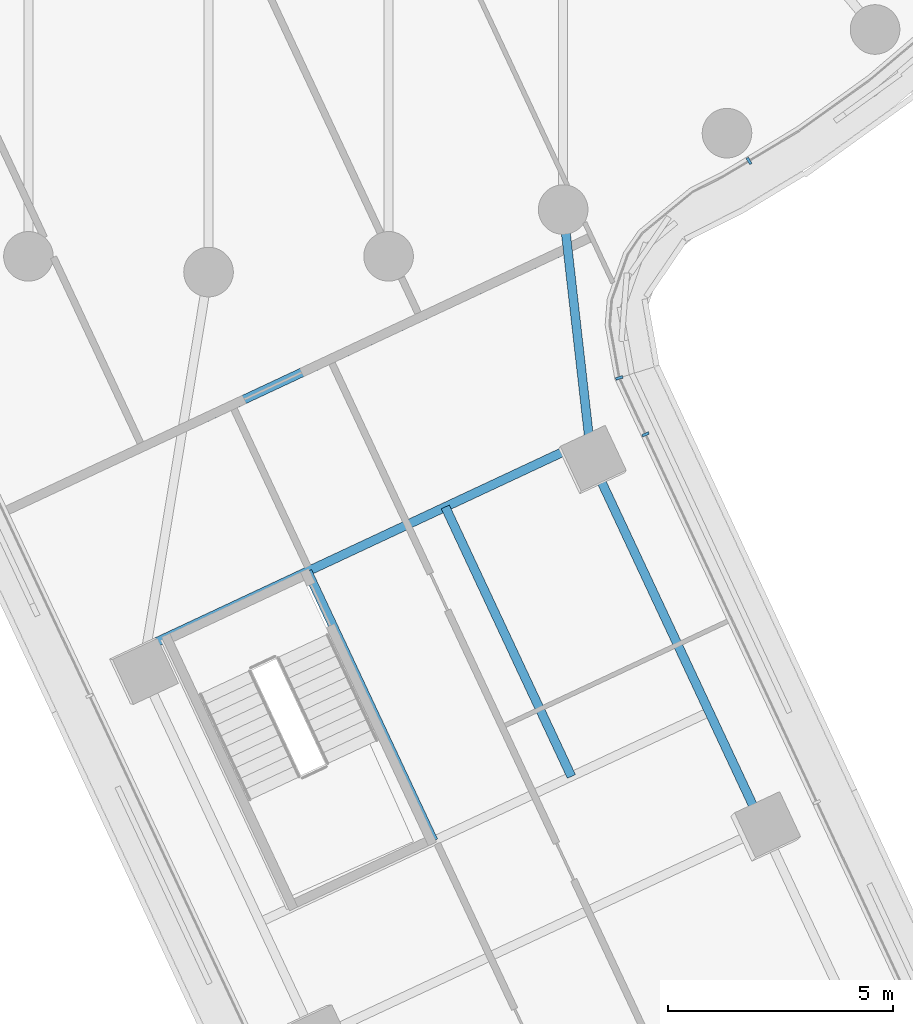
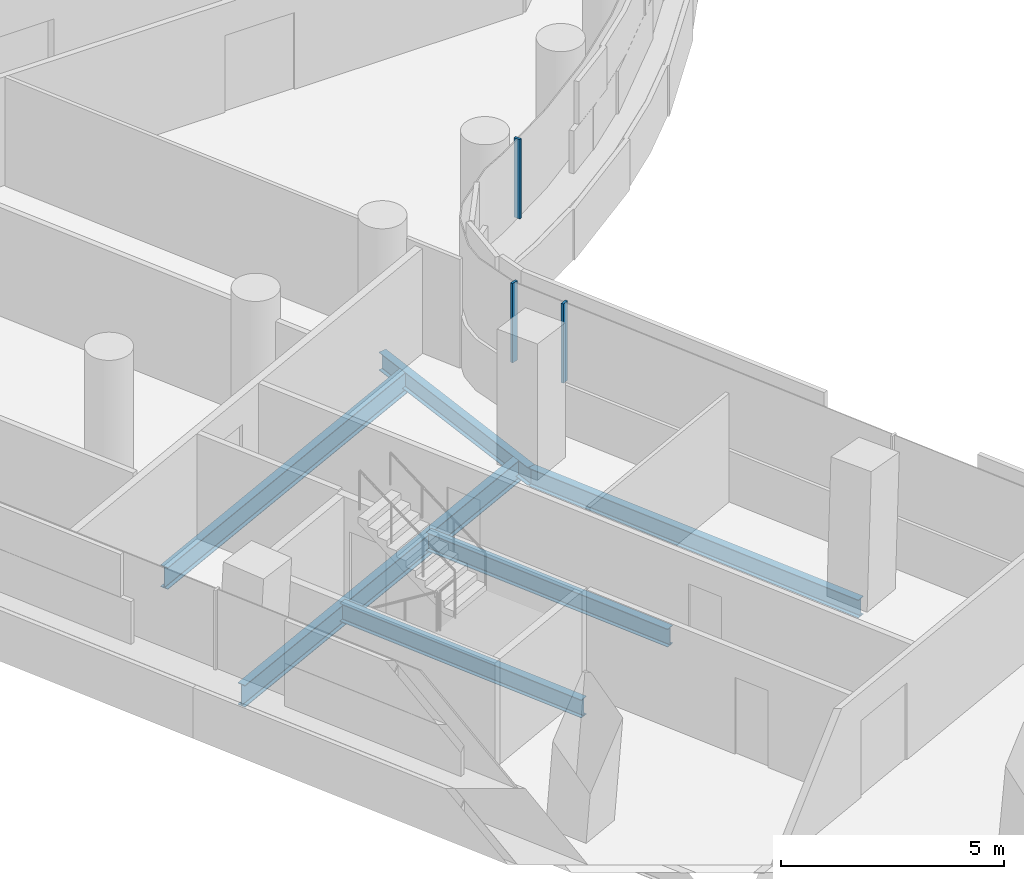
# One storey, part 5 of 36: 6 beams, 3 members, 2 elements without a shape of their own.
"""IFC4 building model written with IfcOpenShell, lengths in metres."""

from ifc_helpers import new_model, si_unit, direction, frame, origin, origin_2d, place, context, subcontext, project, spatial, rectangle, i_section, extrude, material, layer, layer_set, material_profile, profile_set, type_object, element, aggregate, save


model = new_model("IFC4")

# Units and contexts
model_context = context("Model", 3, precision=1e-05, world=origin(), true_north=direction((0.0, 1.0)))
body_context = subcontext(model_context, "Body", "Model", "MODEL_VIEW")
ifc_project = project(units=[si_unit("LENGTHUNIT", "METRE"), si_unit("AREAUNIT", "SQUARE_METRE"), si_unit("VOLUMEUNIT", "CUBIC_METRE"), si_unit("PLANEANGLEUNIT", "RADIAN"), si_unit("MASSUNIT", "GRAM", prefix="KILO")], contexts=[model_context])

# Site, building, storey
site_placement = place(None, origin())
site = spatial("IfcSite", under=ifc_project, at=site_placement, CompositionType="ELEMENT")
building_placement = place(site_placement, origin())
building = spatial("IfcBuilding", under=site, at=building_placement, Name="Tamarind Cross Interchange Tower", CompositionType="ELEMENT")
storey_placement = place(building_placement, frame((0.0, 0.0, 124.75)))
storey = spatial("IfcBuildingStorey", under=building, at=storey_placement, Name="L30", CompositionType="ELEMENT", Elevation=124.75)

# Beams
ifc_material_1 = material(Name="Steel Q355B", Category="steel")
ifc_material_profile_1 = material_profile(ifc_material_1, i_section(OverallWidth=0.198974609375, OverallDepth=0.49609375, WebThickness=0.009033203125, FlangeThickness=0.013916015625, FilletRadius=0.012939453125, at=origin_2d()), Name="HN 496x199x9x14")
ifc_profile_set_1 = profile_set([ifc_material_profile_1], Name="Steel Q355B")
beam_type_1 = type_object("IfcBeamType", Name="Composite beam HN 496x199x9x14 Q355B", PredefinedType="BEAM", material=ifc_profile_set_1)
beam_1_placement = place(storey_placement, frame((12.3134765625, -35.338623046875, -0.387939453125), z_axis=(-0.423798545053, 0.905756475666, 0.0), x_axis=(-0.905756475666, -0.423798545053, 0.0)))
element("IfcBeam", 1, at=beam_1_placement, inside=storey, type_object=beam_type_1, Name="Beam S-edgeep3", PredefinedType="BEAM", context=body_context, shape_type="SweptSolid", body=[
    extrude(i_section(OverallWidth=0.198974609375, OverallDepth=0.49609375, WebThickness=0.009033203125, FlangeThickness=0.013916015625, FilletRadius=0.012939453125, at=origin_2d()), origin(), (0.0, 0.0, 1.0), 9.0),
])
beam_2_placement = place(storey_placement, frame((8.499267578125, -27.186767578125, -0.387939453125), z_axis=(-0.112810080865, 0.99361656873, 0.0), x_axis=(-0.99361656873, -0.112810080865, 0.0)))
element("IfcBeam", 2, at=beam_2_placement, inside=storey, type_object=beam_type_1, Name="Beam S-linkep", PredefinedType="BEAM", context=body_context, shape_type="SweptSolid", body=[
    extrude(i_section(OverallWidth=0.198974609375, OverallDepth=0.49609375, WebThickness=0.009033203125, FlangeThickness=0.013916015625, FilletRadius=0.012939453125, at=origin_2d()), origin(), (0.0, 0.0, 1.0), 5.609619140625),
])
for number, where, z_axis, x_axis, name in (
    (3, (2.194580078125, -29.639892578125, -0.387939453125), (0.423832937461, -0.905740382849, 0.0), (0.905740382849, 0.423832937461, 0.0), "Beam S-tr1"),
    (4, (5.251708984375, -28.20947265625, -0.387939453125), (0.423802591314, -0.905754582431, 0.0), (0.905754582431, 0.423802591314, 0.0), "Beam S-stripp"),
):
    element("IfcBeam", number, at=place(storey_placement, frame(where, z_axis=z_axis, x_axis=x_axis)), inside=storey, type_object=beam_type_1, Name=name, PredefinedType="BEAM", context=body_context, shape_type="SweptSolid", body=[
        extrude(i_section(OverallWidth=0.198974609375, OverallDepth=0.49609375, WebThickness=0.009033203125, FlangeThickness=0.013916015625, FilletRadius=0.012939453125, at=origin_2d()), origin(), (0.0, 0.0, 1.0), 6.60009765625),
    ])
ifc_material_profile_2 = material_profile(ifc_material_1, i_section(OverallWidth=0.199951171875, OverallDepth=0.60009765625, WebThickness=0.010986328125, FlangeThickness=0.01708984375, FilletRadius=0.012939453125, at=origin_2d()), Name="HN 600x200x11x17")
ifc_profile_set_2 = profile_set([ifc_material_profile_2], Name="Steel Q355B")
beam_type_2 = type_object("IfcBeamType", Name="Composite beam HN 600x200x11x17 Q355B", PredefinedType="BEAM", material=ifc_profile_set_2)
beam_3_placement = place(storey_placement, frame((-1.375, -31.31005859375, -0.43994140625), z_axis=(0.905761033582, 0.423788803586, 0.0), x_axis=(-0.423788803586, 0.905761033582, 0.0)))
element("IfcBeam", 5, at=beam_3_placement, inside=storey, type_object=beam_type_2, Name="Beam S-x298", PredefinedType="BEAM", context=body_context, shape_type="SweptSolid", body=[
    extrude(i_section(OverallWidth=0.199951171875, OverallDepth=0.60009765625, WebThickness=0.010986328125, FlangeThickness=0.01708984375, FilletRadius=0.012939453125, at=origin_2d()), origin(), (0.0, 0.0, 1.0), 10.842529296875),
])
beam_4_placement = place(storey_placement, frame((-0.572998046875, -26.463623046875, -0.43994140625), z_axis=(0.905750528019, 0.423811256332, 0.0), x_axis=(-0.423811256332, 0.905750528019, 0.0)))
element("IfcBeam", 6, at=beam_4_placement, inside=storey, type_object=beam_type_2, Name="Beam S-x258", PredefinedType="BEAM", context=body_context, shape_type="SweptSolid", body=[
    extrude(i_section(OverallWidth=0.199951171875, OverallDepth=0.60009765625, WebThickness=0.010986328125, FlangeThickness=0.01708984375, FilletRadius=0.012939453125, at=origin_2d()), origin(), (0.0, 0.0, 1.0), 9.4248046875),
])

# Curtain wall, member
ifc_material_2 = material(Name="Aluminium 6063-T6", Category="aluminium")
ifc_layer = layer(ifc_material_2, 0.159912109375)
ifc_layer_set = layer_set([ifc_layer], Name="Aluminium 6063-T6")
curtain_wall_type = type_object("IfcCurtainWallType", Name="Office curtain wall, 9.0 m bays", PredefinedType="NOTDEFINED", material=ifc_layer_set)
curtain_wall_1_placement = place(storey_placement, origin())
curtain_wall_1 = element("IfcCurtainWall", 7, at=curtain_wall_1_placement, inside=storey, type_object=curtain_wall_type, Name="CWS-L30-05", PredefinedType="NOTDEFINED")
ifc_material_profile_3 = material_profile(ifc_material_2, rectangle(XDim=0.06005859375, YDim=0.159912109375, at=origin_2d()), Name="Mullion CW1")
ifc_profile_set_3 = profile_set([ifc_material_profile_3], Name="Aluminium 6063-T6")
member_type = type_object("IfcMemberType", Name="Mullion CW1", PredefinedType="MULLION", material=ifc_profile_set_3)
member_1_placement = place(storey_placement, frame((9.693603515625, -26.59912109375, 1.39990234375), z_axis=(0.0, 0.0, 1.0), x_axis=(-0.422173554282, 0.906515024732, 0.0)))
member_1 = element("IfcMember", 8, at=member_1_placement, type_object=member_type, Name="CWM-L30-05-02", PredefinedType="MULLION", context=body_context, shape_type="SweptSolid", body=[
    extrude(rectangle(XDim=0.06005859375, YDim=0.159912109375, at=origin_2d()), origin(), (0.0, 0.0, 1.0), 2.170166015625),
])
aggregate(curtain_wall_1, [member_1])

# Curtain wall, members
curtain_wall_2_placement = place(storey_placement, origin())
curtain_wall_2 = element("IfcCurtainWall", 9, at=curtain_wall_2_placement, inside=storey, type_object=curtain_wall_type, Name="CWS-L30-06", PredefinedType="NOTDEFINED")
member_2_placement = place(storey_placement, frame((9.11083984375, -25.34814453125, 1.39990234375), z_axis=(0.0, 0.0, 1.0), x_axis=(-0.302453025944, 0.953164291766, 0.0)))
member_2 = element("IfcMember", 10, at=member_2_placement, type_object=member_type, Name="CWM-L30-06-00", PredefinedType="MULLION", context=body_context, shape_type="SweptSolid", body=[
    extrude(rectangle(XDim=0.06005859375, YDim=0.159912109375, at=origin_2d()), origin(), (0.0, 0.0, 1.0), 2.170166015625),
])
member_3_placement = place(storey_placement, frame((11.98779296875, -20.534423828125, 1.39990234375), z_axis=(0.0, 0.0, 1.0), x_axis=(0.856843065292, 0.515577308909, 0.0)))
member_3 = element("IfcMember", 11, at=member_3_placement, type_object=member_type, Name="CWM-L30-06-01", PredefinedType="MULLION", context=body_context, shape_type="SweptSolid", body=[
    extrude(rectangle(XDim=0.06005859375, YDim=0.159912109375, at=origin_2d()), origin(), (0.0, 0.0, 1.0), 2.170166015625),
])
aggregate(curtain_wall_2, [member_2, member_3])

save(model, "model.ifc")
